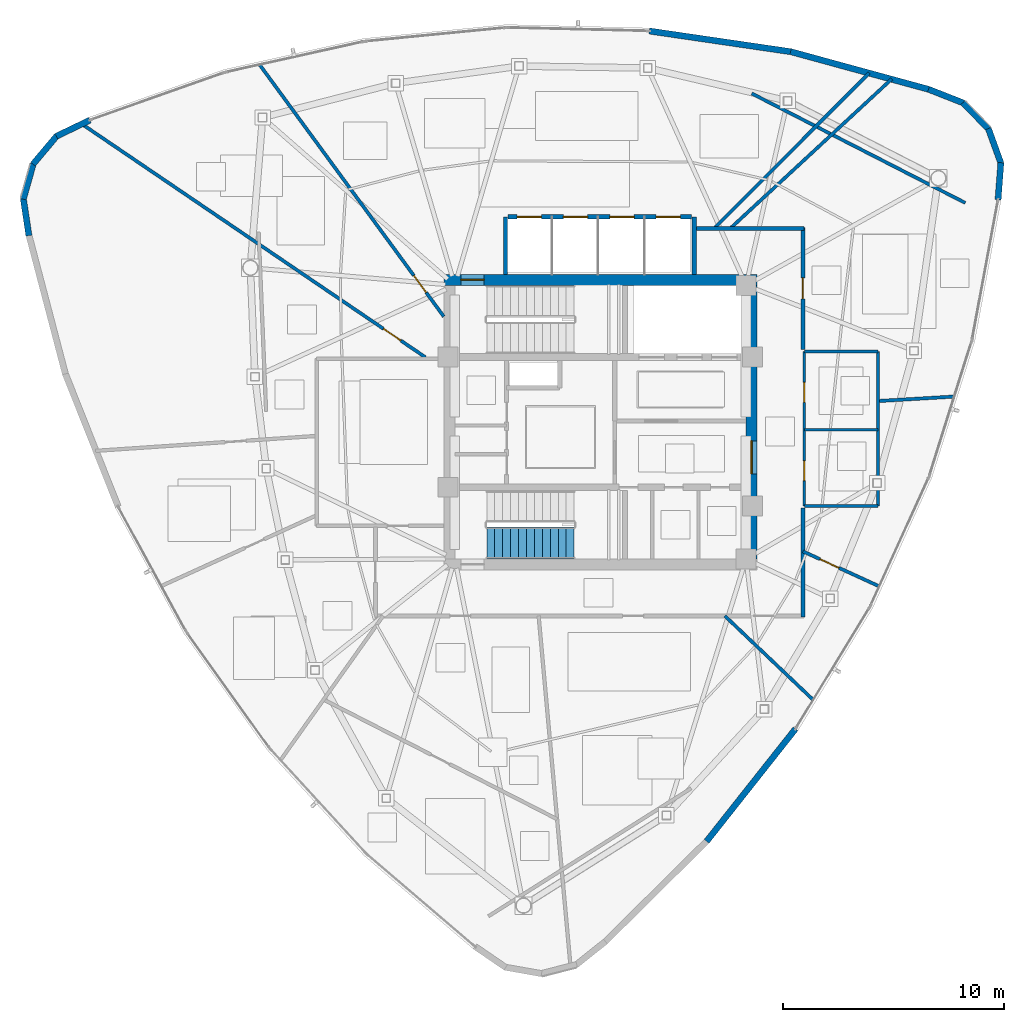
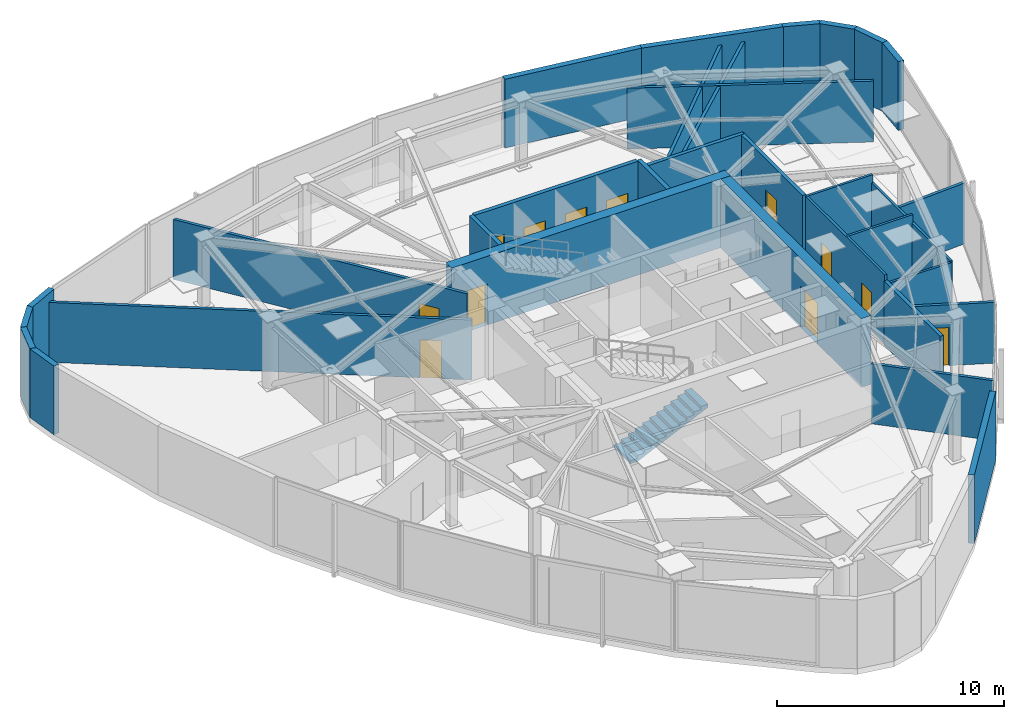
# One storey, part 9 of 13: 32 walls, 12 doors, 1 stair flight, 12 openings, 1 element without a shape of its own.
"""IFC4 building model written with IfcOpenShell, lengths in metres."""

from ifc_helpers import new_model, si_unit, direction, frame, frame_2d, origin, place, context, subcontext, project, spatial, polyline, rectangle, outline, extrude, material, layer, layer_set, type_object, element, fill, aggregate, save


model = new_model("IFC4")

# Units and contexts
model_context = context("Model", 3, precision=1e-05, world=origin(), true_north=direction((0.0, 1.0)))
body_context = subcontext(model_context, "Body", "Model", "MODEL_VIEW")
ifc_project = project(units=[si_unit("LENGTHUNIT", "METRE"), si_unit("AREAUNIT", "SQUARE_METRE"), si_unit("VOLUMEUNIT", "CUBIC_METRE"), si_unit("PLANEANGLEUNIT", "RADIAN"), si_unit("MASSUNIT", "GRAM", prefix="KILO")], contexts=[model_context])

# Site, building, storey
site_placement = place(None, origin())
site = spatial("IfcSite", under=ifc_project, at=site_placement, CompositionType="ELEMENT")
building_placement = place(site_placement, origin())
building = spatial("IfcBuilding", under=site, at=building_placement, Name="Tavelor Broadcast Tower", CompositionType="ELEMENT")
storey_placement = place(building_placement, frame((0.0, 0.0, 305.5)))
storey = spatial("IfcBuildingStorey", under=building, at=storey_placement, Name="L73", CompositionType="ELEMENT", Elevation=305.5)

# Wall, opening, door
ifc_material_1 = material(Name="Concrete C50/60", Category="concrete")
ifc_layer_1 = layer(ifc_material_1, 0.5)
ifc_layer_set_1 = layer_set([ifc_layer_1], Name="Concrete C50/60")
wall_type_1 = type_object("IfcWallType", Name="Core Shear Wall 500 mm", PredefinedType="SHEAR", material=ifc_layer_set_1)
wall_1_placement = place(storey_placement, frame((42.89990234375, 51.449951171875, 0.0), z_axis=(0.0, 0.0, 1.0), x_axis=(1.0, 0.0, 0.0)))
wall_1 = element("IfcWall", 1, at=wall_1_placement, inside=storey, type_object=wall_type_1, Name="L73 Central Core Shear Wall N", PredefinedType="SHEAR", context=body_context, shape_type="SweptSolid", body=[
    extrude(rectangle(XDim=14.2001953125, YDim=0.5, at=frame_2d((7.10009765625, 0.0))), origin(), (0.0, 0.0, 1.0), 3.699951171875),
])
opening_1_placement = place(wall_1_placement, frame((0.780029296875, 0.0, 0.0)))
opening_1 = element("IfcOpeningElement", 2, at=opening_1_placement, cuts=wall_1, Name="Opening DR11", PredefinedType="OPENING", context=body_context, shape_type="SweptSolid", body=[
    extrude(rectangle(XDim=1.050048828125, YDim=2.199951171875, at=frame_2d((0.52490234375, 1.10009765625))), frame((0.0, 0.260009765625, 0.0), z_axis=(0.0, -1.0, 0.0), x_axis=(1.0, 0.0, 0.0)), (0.0, 0.0, 1.0), 0.52001953125),
])
ifc_material_2 = material(Name="Steel S355", Category="steel")
door_type_1 = type_object("IfcDoorType", Name="Stair Core Fire Escape Door 1050x2200", OperationType="NOTDEFINED", PredefinedType="DOOR", material=ifc_material_2)
door_1_placement = place(opening_1_placement, origin())
door_1 = element("IfcDoor", 3, at=door_1_placement, inside=storey, type_object=door_type_1, Name="L73 Stair ST1 Protected Exit Door", OperationType="SINGLE_SWING_LEFT", OverallHeight=2.199951171875, OverallWidth=1.050048828125, PredefinedType="DOOR", context=body_context, shape_type="SweptSolid", body=[
    extrude(rectangle(XDim=1.050048828125, YDim=2.199951171875, at=frame_2d((0.52490234375, 1.10009765625))), frame((0.0, 0.02490234375, 0.0), z_axis=(0.0, -1.0, 0.0), x_axis=(1.0, 0.0, 0.0)), (0.0, 0.0, 1.0), 0.050048828125),
])
fill(opening_1, door_1)

wall_2_placement = place(storey_placement, frame((56.85009765625, 38.800048828125, 0.0), z_axis=(0.0, 0.0, 1.0), x_axis=(0.0, 1.0, 0.0)))
wall_2 = element("IfcWall", 4, at=wall_2_placement, inside=storey, type_object=wall_type_1, Name="L73 Central Core Shear Wall E", PredefinedType="SHEAR", context=body_context, shape_type="SweptSolid", body=[
    extrude(rectangle(XDim=12.39990234375, YDim=0.5, at=frame_2d((6.199951171875, 0.0))), origin(), (0.0, 0.0, 1.0), 3.699951171875),
])
opening_2_placement = place(wall_2_placement, frame((3.85009765625, 0.0, 0.0)))
opening_2 = element("IfcOpeningElement", 5, at=opening_2_placement, cuts=wall_2, Name="Opening DR14", PredefinedType="OPENING", context=body_context, shape_type="SweptSolid", body=[
    extrude(rectangle(XDim=1.5, YDim=2.199951171875, at=frame_2d((0.75, 1.10009765625))), frame((0.0, 0.260009765625, 0.0), z_axis=(0.0, -1.0, 0.0), x_axis=(1.0, 0.0, 0.0)), (0.0, 0.0, 1.0), 0.52001953125),
])
door_type_2 = type_object("IfcDoorType", Name="Firefighting Lobby Double Fire Door 1500x2200", OperationType="NOTDEFINED", PredefinedType="DOOR", material=ifc_material_2)
door_2_placement = place(opening_2_placement, origin())
door_2 = element("IfcDoor", 6, at=door_2_placement, inside=storey, type_object=door_type_2, Name="L73 Central Core Lobby Fire Door", OperationType="SINGLE_SWING_LEFT", OverallHeight=2.199951171875, OverallWidth=1.5, PredefinedType="DOOR", context=body_context, shape_type="SweptSolid", body=[
    extrude(rectangle(XDim=1.5, YDim=2.199951171875, at=frame_2d((0.75, 1.10009765625))), frame((0.0, 0.02490234375, 0.0), z_axis=(0.0, -1.0, 0.0), x_axis=(1.0, 0.0, 0.0)), (0.0, 0.0, 1.0), 0.050048828125),
])
fill(opening_2, door_2)

# Wall
ifc_material_3 = material(Name="Calcium Silicate Fire Board 180 mm", Category="gypsum")
ifc_layer_2 = layer(ifc_material_3, 0.179931640625)
ifc_layer_set_2 = layer_set([ifc_layer_2], Name="Calcium Silicate Fire Board 180 mm")
wall_type_2 = type_object("IfcWallType", Name="Fire-Rated Corridor Partition Wall 180 mm", PredefinedType="PARTITIONING", material=ifc_layer_set_2)
wall_3_placement = place(storey_placement, frame((54.300048828125, 53.780029296875, 0.0), z_axis=(0.0, 0.0, 1.0), x_axis=(1.0, 0.0, 0.0)))
element("IfcWall", 7, at=wall_3_placement, inside=storey, type_object=wall_type_2, Name="L73 Corridor Compartment Wall 01", PredefinedType="PARTITIONING", context=body_context, shape_type="SweptSolid", body=[
    extrude(rectangle(XDim=4.929931640625, YDim=0.179931640625, at=frame_2d((2.46484375, 0.0))), origin(), (0.0, 0.0, 1.0), 3.699951171875),
])

# Wall, opening, door
wall_4_placement = place(storey_placement, frame((59.179931640625, 53.830078125, 0.0), z_axis=(0.0, 0.0, 1.0), x_axis=(0.0, -1.0, 0.0)))
wall_4 = element("IfcWall", 8, at=wall_4_placement, inside=storey, type_object=wall_type_2, Name="L73 Corridor Compartment Wall 02", PredefinedType="PARTITIONING", context=body_context, shape_type="SweptSolid", body=[
    extrude(rectangle(XDim=5.530029296875, YDim=0.179931640625, at=frame_2d((2.76513671875, 0.0))), origin(), (0.0, 0.0, 1.0), 3.699951171875),
])
opening_3_placement = place(wall_4_placement, frame((2.2900390625, 0.0, 0.0)))
opening_3 = element("IfcOpeningElement", 9, at=opening_3_placement, cuts=wall_4, Name="Opening DR18", PredefinedType="OPENING", context=body_context, shape_type="SweptSolid", body=[
    extrude(rectangle(XDim=0.949951171875, YDim=2.050048828125, at=frame_2d((0.47509765625, 1.02490234375))), frame((0.0, 0.10009765625, 0.0), z_axis=(0.0, -1.0, 0.0), x_axis=(1.0, 0.0, 0.0)), (0.0, 0.0, 1.0), 0.199951171875),
])
ifc_material_4 = material(Name="Timber Solid Core Hardwood", Category="wood")
door_type_3 = type_object("IfcDoorType", Name="Corridor Rated Compartment Door 950x2050", OperationType="NOTDEFINED", PredefinedType="DOOR", material=ifc_material_4)
door_3_placement = place(opening_3_placement, origin())
door_3 = element("IfcDoor", 10, at=door_3_placement, inside=storey, type_object=door_type_3, Name="L73 Standards Huddle Room Door R9", OperationType="SINGLE_SWING_LEFT", OverallHeight=2.050048828125, OverallWidth=0.949951171875, PredefinedType="DOOR", context=body_context, shape_type="SweptSolid", body=[
    extrude(rectangle(XDim=0.949951171875, YDim=2.050048828125, at=frame_2d((0.47509765625, 1.02490234375))), frame((0.0, 0.02490234375, 0.0), z_axis=(0.0, -1.0, 0.0), x_axis=(1.0, 0.0, 0.0)), (0.0, 0.0, 1.0), 0.050048828125),
])
fill(opening_3, door_3)

# Walls
wall_5_placement = place(storey_placement, frame((59.179931640625, 41.10009765625, 0.0), z_axis=(0.0, 0.0, 1.0), x_axis=(0.0, -1.0, 0.0)))
element("IfcWall", 11, at=wall_5_placement, inside=storey, type_object=wall_type_2, Name="L73 Corridor Compartment Wall 03", PredefinedType="PARTITIONING", context=body_context, shape_type="SweptSolid", body=[
    extrude(rectangle(XDim=4.93017578125, YDim=0.179931640625, at=frame_2d((2.465087890625, 0.0))), origin(), (0.0, 0.0, 1.0), 3.47509765625),
])
ifc_material_5 = material(Name="Precast Concrete C40/50", Category="concrete")
ifc_layer_3 = layer(ifc_material_5, 0.280029296875)
ifc_layer_set_3 = layer_set([ifc_layer_3], Name="Precast Concrete C40/50")
wall_type_3 = type_object("IfcWallType", Name="Insulated Precast Terracotta Facade Wall 280 mm", PredefinedType="STANDARD", material=ifc_layer_set_3)
wall_6_placement = place(storey_placement, frame((26.86181640625, 58.689453125, 0.0), z_axis=(0.0, 0.0, 1.0), x_axis=(-0.901484692443, -0.43281098564, 0.0)))
element("IfcWall", 12, at=wall_6_placement, inside=storey, type_object=wall_type_3, Name="L73 Rounded Corner Structural Cladding Pier 01", PredefinedType="STANDARD", context=body_context, shape_type="SweptSolid", body=[
    extrude(rectangle(XDim=1.688232421875, YDim=0.280029296875, at=frame_2d((0.84423828125, 0.0))), origin(), (0.0, 0.0, 1.0), 3.699951171875),
])
for number, where, z_axis, x_axis, name in (
    (13, (25.363037109375, 57.9765625, 0.0), (0.0, 0.0, 1.0), (-0.6434584105, -0.765481073546, 0.0), "L73 Rounded Corner Structural Cladding Pier 02"),
    (14, (24.2978515625, 56.718994140625, 0.0), (0.0, 0.0, 1.0), (-0.271411747194, -0.962463330982, 0.0), "L73 Rounded Corner Structural Cladding Pier 03"),
):
    element("IfcWall", number, at=place(storey_placement, frame(where, z_axis=z_axis, x_axis=x_axis)), inside=storey, type_object=wall_type_3, Name=name, PredefinedType="STANDARD", context=body_context, shape_type="SweptSolid", body=[
        extrude(rectangle(XDim=1.6767578125, YDim=0.280029296875, at=frame_2d((0.83837890625, 0.0))), origin(), (0.0, 0.0, 1.0), 3.699951171875),
    ])
wall_7_placement = place(storey_placement, frame((23.844482421875, 55.134521484375, 0.0), z_axis=(0.0, 0.0, 1.0), x_axis=(0.148839229755, -0.988861407724, 0.0)))
element("IfcWall", 15, at=wall_7_placement, inside=storey, type_object=wall_type_3, Name="L73 Rounded Corner Structural Cladding Pier 04", PredefinedType="STANDARD", context=body_context, shape_type="SweptSolid", body=[
    extrude(rectangle(XDim=1.699462890625, YDim=0.280029296875, at=frame_2d((0.849609375, 0.0))), origin(), (0.0, 0.0, 1.0), 3.699951171875),
])
wall_8_placement = place(storey_placement, frame((54.813720703125, 25.997802734375, 0.0), z_axis=(0.0, 0.0, 1.0), x_axis=(0.620144738649, 0.784487414256, 0.0)))
element("IfcWall", 16, at=wall_8_placement, inside=storey, type_object=wall_type_3, Name="L73 Rounded Corner Structural Cladding Pier 16", PredefinedType="STANDARD", context=body_context, shape_type="SweptSolid", body=[
    extrude(rectangle(XDim=6.499267578125, YDim=0.280029296875, at=frame_2d((3.24951171875, 0.0))), origin(), (0.0, 0.0, 1.0), 3.699951171875),
])
wall_9_placement = place(storey_placement, frame((68.0244140625, 55.075927734375, 0.0), z_axis=(0.0, 0.0, 1.0), x_axis=(0.075922365377, 0.997113731946, 0.0)))
element("IfcWall", 17, at=wall_9_placement, inside=storey, type_object=wall_type_3, Name="L73 Rounded Corner Structural Cladding Pier 21", PredefinedType="STANDARD", context=body_context, shape_type="SweptSolid", body=[
    extrude(rectangle(XDim=1.688232421875, YDim=0.280029296875, at=frame_2d((0.84423828125, 0.0))), origin(), (0.0, 0.0, 1.0), 3.699951171875),
])
wall_10_placement = place(storey_placement, frame((68.156494140625, 56.730224609375, 0.0), z_axis=(0.0, 0.0, 1.0), x_axis=(-0.341146767824, 0.940010043991, 0.0)))
element("IfcWall", 18, at=wall_10_placement, inside=storey, type_object=wall_type_3, Name="L73 Rounded Corner Structural Cladding Pier 22", PredefinedType="STANDARD", context=body_context, shape_type="SweptSolid", body=[
    extrude(rectangle(XDim=1.6767578125, YDim=0.280029296875, at=frame_2d((0.83837890625, 0.0))), origin(), (0.0, 0.0, 1.0), 3.699951171875),
])
wall_11_placement = place(storey_placement, frame((67.60009765625, 58.281494140625, 0.0), z_axis=(0.0, 0.0, 1.0), x_axis=(-0.697799601275, 0.716293038121, 0.0)))
element("IfcWall", 19, at=wall_11_placement, inside=storey, type_object=wall_type_3, Name="L73 Rounded Corner Structural Cladding Pier 23", PredefinedType="STANDARD", context=body_context, shape_type="SweptSolid", body=[
    extrude(rectangle(XDim=1.676513671875, YDim=0.280029296875, at=frame_2d((0.83837890625, 0.0))), origin(), (0.0, 0.0, 1.0), 3.699951171875),
])
wall_12_placement = place(storey_placement, frame((66.45458984375, 59.46630859375, 0.0), z_axis=(0.0, 0.0, 1.0), x_axis=(-0.930767207773, 0.365612369777, 0.0)))
element("IfcWall", 20, at=wall_12_placement, inside=storey, type_object=wall_type_3, Name="L73 Rounded Corner Structural Cladding Pier 24", PredefinedType="STANDARD", context=body_context, shape_type="SweptSolid", body=[
    extrude(rectangle(XDim=1.699462890625, YDim=0.280029296875, at=frame_2d((0.849609375, 0.0))), origin(), (0.0, 0.0, 1.0), 3.699951171875),
])
wall_13_placement = place(storey_placement, frame((64.9013671875, 60.078125, 0.0), z_axis=(0.0, 0.0, 1.0), x_axis=(-0.964665979749, 0.263475895511, 0.0)))
element("IfcWall", 21, at=wall_13_placement, inside=storey, type_object=wall_type_3, Name="L73 Rounded Corner Structural Cladding Pier 25", PredefinedType="STANDARD", context=body_context, shape_type="SweptSolid", body=[
    extrude(rectangle(XDim=6.51123046875, YDim=0.280029296875, at=frame_2d((3.255615234375, 0.0))), origin(), (0.0, 0.0, 1.0), 3.699951171875),
])
wall_14_placement = place(storey_placement, frame((58.6494140625, 61.78759765625, 0.0), z_axis=(0.0, 0.0, 1.0), x_axis=(-0.989459095004, 0.144812635203, 0.0)))
element("IfcWall", 22, at=wall_14_placement, inside=storey, type_object=wall_type_3, Name="L73 Rounded Corner Structural Cladding Pier 26", PredefinedType="STANDARD", context=body_context, shape_type="SweptSolid", body=[
    extrude(rectangle(XDim=6.499267578125, YDim=0.280029296875, at=frame_2d((3.24951171875, 0.0))), origin(), (0.0, 0.0, 1.0), 3.699951171875),
])
ifc_material_6 = material(Name="Gypsum Acoustic Plasterboard 150 mm", Category="gypsum")
ifc_layer_4 = layer(ifc_material_6, 0.14990234375)
ifc_layer_set_4 = layer_set([ifc_layer_4], Name="Gypsum Acoustic Plasterboard 150 mm")
wall_type_4 = type_object("IfcWallType", Name="Interior Acoustic Partition Wall 150 mm", PredefinedType="PARTITIONING", material=ifc_layer_set_4)
wall_15_placement = place(storey_placement, frame((66.542724609375, 54.934326171875, 0.0), z_axis=(0.0, 0.0, 1.0), x_axis=(-0.889966951661, 0.456025026673, 0.0)))
element("IfcWall", 23, at=wall_15_placement, inside=storey, type_object=wall_type_4, Name="L73 Corner Tube Brace Furring Wall 3", PredefinedType="PARTITIONING", context=body_context, shape_type="SweptSolid", body=[
    extrude(rectangle(XDim=10.878662109375, YDim=0.14990234375, at=frame_2d((5.439453125, 0.0))), origin(), (0.0, 0.0, 1.0), 3.27490234375),
])
wall_16_placement = place(storey_placement, frame((55.6376953125, 36.219970703125, 0.0), z_axis=(0.0, 0.0, 1.0), x_axis=(0.724817836817, -0.688940565965, 0.0)))
element("IfcWall", 24, at=wall_16_placement, inside=storey, type_object=wall_type_4, Name="L73 Radial Compartment Wall 04", PredefinedType="PARTITIONING", context=body_context, shape_type="SweptSolid", body=[
    extrude(rectangle(XDim=5.5390625, YDim=0.14990234375, at=frame_2d((2.76953125, 0.0))), origin(), (0.0, 0.0, 1.0), 3.22509765625),
])

# Wall, opening, door
wall_17_placement = place(storey_placement, frame((59.179931640625, 39.142822265625, 0.0), z_axis=(0.0, 0.0, 1.0), x_axis=(0.909068863081, -0.416645895428, 0.0)))
wall_17 = element("IfcWall", 25, at=wall_17_placement, inside=storey, type_object=wall_type_4, Name="L73 Radial Compartment Wall 05", PredefinedType="PARTITIONING", context=body_context, shape_type="SweptSolid", body=[
    extrude(rectangle(XDim=3.814697265625, YDim=0.14990234375, at=frame_2d((1.9072265625, 0.0))), origin(), (0.0, 0.0, 1.0), 3.27490234375),
])
opening_4_placement = place(wall_17_placement, frame((0.85009765625, 0.0, 0.0)))
opening_4 = element("IfcOpeningElement", 26, at=opening_4_placement, cuts=wall_17, Name="Opening DR18", PredefinedType="OPENING", context=body_context, shape_type="SweptSolid", body=[
    extrude(rectangle(XDim=0.949951171875, YDim=2.050048828125, at=frame_2d((0.47509765625, 1.02490234375))), frame((0.0, 0.0849609375, 0.0), z_axis=(0.0, -1.0, 0.0), x_axis=(1.0, 0.0, 0.0)), (0.0, 0.0, 1.0), 0.169921875),
])
door_4_placement = place(opening_4_placement, origin())
door_4 = element("IfcDoor", 27, at=door_4_placement, inside=storey, type_object=door_type_3, Name="L73 Suite Connecting Door 10", OperationType="SINGLE_SWING_RIGHT", OverallHeight=2.050048828125, OverallWidth=0.949951171875, PredefinedType="DOOR", context=body_context, shape_type="SweptSolid", body=[
    extrude(rectangle(XDim=0.949951171875, YDim=2.050048828125, at=frame_2d((0.47509765625, 1.02490234375))), frame((0.0, 0.02490234375, 0.0), z_axis=(0.0, -1.0, 0.0), x_axis=(1.0, 0.0, 0.0)), (0.0, 0.0, 1.0), 0.050048828125),
])
fill(opening_4, door_4)

# Walls
wall_18_placement = place(storey_placement, frame((62.64990234375, 45.959228515625, 0.0), z_axis=(0.0, 0.0, 1.0), x_axis=(0.998262239054, 0.058927939713, 0.0)))
element("IfcWall", 28, at=wall_18_placement, inside=storey, type_object=wall_type_4, Name="L73 Radial Compartment Wall 06", PredefinedType="PARTITIONING", context=body_context, shape_type="SweptSolid", body=[
    extrude(rectangle(XDim=3.405517578125, YDim=0.14990234375, at=frame_2d((1.70263671875, 0.0))), origin(), (0.0, 0.0, 1.0), 3.27490234375),
])
wall_19_placement = place(storey_placement, frame((55.88671875, 53.780029296875, 0.0), z_axis=(0.0, 0.0, 1.0), x_axis=(0.73390624215, 0.679250784124, 0.0)))
element("IfcWall", 29, at=wall_19_placement, inside=storey, type_object=wall_type_4, Name="L73 Radial Compartment Wall 07", PredefinedType="PARTITIONING", context=body_context, shape_type="SweptSolid", body=[
    extrude(rectangle(XDim=9.97021484375, YDim=0.14990234375, at=frame_2d((4.985107421875, 0.0))), origin(), (0.0, 0.0, 1.0), 3.22509765625),
])
wall_20_placement = place(storey_placement, frame((55.156005859375, 53.780029296875, 0.0), z_axis=(0.0, 0.0, 1.0), x_axis=(0.706137563307, 0.708074672395, 0.0)))
element("IfcWall", 30, at=wall_20_placement, inside=storey, type_object=wall_type_4, Name="L73 Radial Compartment Wall 08", PredefinedType="PARTITIONING", context=body_context, shape_type="SweptSolid", body=[
    extrude(rectangle(XDim=9.95654296875, YDim=0.14990234375, at=frame_2d((4.978271484375, 0.0))), origin(), (0.0, 0.0, 1.0), 3.22509765625),
])

# Wall, opening, door
wall_21_placement = place(storey_placement, frame((42.89990234375, 49.787109375, 0.0), z_axis=(0.0, 0.0, 1.0), x_axis=(-0.590193936137, 0.807261492793, 0.0)))
wall_21 = element("IfcWall", 31, at=wall_21_placement, inside=storey, type_object=wall_type_4, Name="L73 Radial Compartment Wall 09", PredefinedType="PARTITIONING", context=body_context, shape_type="SweptSolid", body=[
    extrude(rectangle(XDim=14.150146484375, YDim=0.14990234375, at=frame_2d((7.0751953125, 0.0))), origin(), (0.0, 0.0, 1.0), 3.22509765625),
])
opening_5_placement = place(wall_21_placement, frame((1.35009765625, 0.0, 0.0)))
opening_5 = element("IfcOpeningElement", 32, at=opening_5_placement, cuts=wall_21, Name="Opening DR18", PredefinedType="OPENING", context=body_context, shape_type="SweptSolid", body=[
    extrude(rectangle(XDim=0.949951171875, YDim=2.050048828125, at=frame_2d((0.47509765625, 1.02490234375))), frame((0.0, 0.0849609375, 0.0), z_axis=(0.0, -1.0, 0.0), x_axis=(1.0, 0.0, 0.0)), (0.0, 0.0, 1.0), 0.169921875),
])
door_5_placement = place(opening_5_placement, origin())
door_5 = element("IfcDoor", 33, at=door_5_placement, inside=storey, type_object=door_type_3, Name="L73 Suite Connecting Door 8", OperationType="SINGLE_SWING_LEFT", OverallHeight=2.050048828125, OverallWidth=0.949951171875, PredefinedType="DOOR", context=body_context, shape_type="SweptSolid", body=[
    extrude(rectangle(XDim=0.949951171875, YDim=2.050048828125, at=frame_2d((0.47509765625, 1.02490234375))), frame((0.0, 0.02490234375, 0.0), z_axis=(0.0, -1.0, 0.0), x_axis=(1.0, 0.0, 0.0)), (0.0, 0.0, 1.0), 0.050048828125),
])
fill(opening_5, door_5)

wall_22_placement = place(storey_placement, frame((42.069580078125, 47.93994140625, 0.0), z_axis=(0.0, 0.0, 1.0), x_axis=(-0.82734261605, 0.561697601622, 0.0)))
wall_22 = element("IfcWall", 34, at=wall_22_placement, inside=storey, type_object=wall_type_4, Name="L73 Radial Compartment Wall 10", PredefinedType="PARTITIONING", context=body_context, shape_type="SweptSolid", body=[
    extrude(rectangle(XDim=18.8359375, YDim=0.14990234375, at=frame_2d((9.41796875, 0.0))), origin(), (0.0, 0.0, 1.0), 3.22509765625),
])
opening_6_placement = place(wall_22_placement, frame((1.35009765625, 0.0, 0.0)))
opening_6 = element("IfcOpeningElement", 35, at=opening_6_placement, cuts=wall_22, Name="Opening DR18", PredefinedType="OPENING", context=body_context, shape_type="SweptSolid", body=[
    extrude(rectangle(XDim=0.949951171875, YDim=2.050048828125, at=frame_2d((0.47509765625, 1.02490234375))), frame((0.0, 0.0849609375, 0.0), z_axis=(0.0, -1.0, 0.0), x_axis=(1.0, 0.0, 0.0)), (0.0, 0.0, 1.0), 0.169921875),
])
door_6_placement = place(opening_6_placement, origin())
door_6 = element("IfcDoor", 36, at=door_6_placement, inside=storey, type_object=door_type_3, Name="L73 Suite Connecting Door 6", OperationType="SINGLE_SWING_RIGHT", OverallHeight=2.050048828125, OverallWidth=0.949951171875, PredefinedType="DOOR", context=body_context, shape_type="SweptSolid", body=[
    extrude(rectangle(XDim=0.949951171875, YDim=2.050048828125, at=frame_2d((0.47509765625, 1.02490234375))), frame((0.0, 0.02490234375, 0.0), z_axis=(0.0, -1.0, 0.0), x_axis=(1.0, 0.0, 0.0)), (0.0, 0.0, 1.0), 0.050048828125),
])
fill(opening_6, door_6)

# Wall, openings, doors
ifc_material_7 = material(Name="Concrete Blockwork 200 mm", Category="masonry")
ifc_layer_5 = layer(ifc_material_7, 0.199951171875)
ifc_layer_set_5 = layer_set([ifc_layer_5], Name="Concrete Blockwork 200 mm")
wall_type_5 = type_object("IfcWallType", Name="Lift Hoistway Rated Front Wall 200 mm", PredefinedType="PARTITIONING", material=ifc_layer_set_5)
wall_23_placement = place(storey_placement, frame((45.820068359375, 54.300048828125, 0.0), z_axis=(0.0, 0.0, 1.0), x_axis=(1.0, 0.0, 0.0)))
wall_23 = element("IfcWall", 37, at=wall_23_placement, inside=storey, type_object=wall_type_5, Name="L73 High-Rise Lift Hoistway Front Wall", PredefinedType="PARTITIONING", context=body_context, shape_type="SweptSolid", body=[
    extrude(rectangle(XDim=8.309814453125, YDim=0.199951171875, at=frame_2d((4.15478515625, 0.0))), origin(), (0.0, 0.0, 1.0), 3.699951171875),
])
opening_7_placement = place(wall_23_placement, frame((0.405029296875, 0.0, 0.0)))
opening_7 = element("IfcOpeningElement", 38, at=opening_7_placement, cuts=wall_23, Name="Opening LD01", PredefinedType="OPENING", context=body_context, shape_type="SweptSolid", body=[
    extrude(rectangle(XDim=1.10009765625, YDim=2.14990234375, at=frame_2d((0.550048828125, 1.074951171875))), frame((0.0, 0.10986328125, 0.0), z_axis=(0.0, -1.0, 0.0), x_axis=(1.0, 0.0, 0.0)), (0.0, 0.0, 1.0), 0.219970703125),
])
opening_8_placement = place(wall_23_placement, frame((2.5048828125, 0.0, 0.0)))
opening_8 = element("IfcOpeningElement", 39, at=opening_8_placement, cuts=wall_23, Name="Opening LD01", PredefinedType="OPENING", context=body_context, shape_type="SweptSolid", body=[
    extrude(rectangle(XDim=1.10009765625, YDim=2.14990234375, at=frame_2d((0.550048828125, 1.074951171875))), frame((0.0, 0.10986328125, 0.0), z_axis=(0.0, -1.0, 0.0), x_axis=(1.0, 0.0, 0.0)), (0.0, 0.0, 1.0), 0.219970703125),
])
opening_9_placement = place(wall_23_placement, frame((4.60498046875, 0.0, 0.0)))
opening_9 = element("IfcOpeningElement", 40, at=opening_9_placement, cuts=wall_23, Name="Opening LD01", PredefinedType="OPENING", context=body_context, shape_type="SweptSolid", body=[
    extrude(rectangle(XDim=1.10009765625, YDim=2.14990234375, at=frame_2d((0.550048828125, 1.074951171875))), frame((0.0, 0.10986328125, 0.0), z_axis=(0.0, -1.0, 0.0), x_axis=(1.0, 0.0, 0.0)), (0.0, 0.0, 1.0), 0.219970703125),
])
opening_10_placement = place(wall_23_placement, frame((6.705078125, 0.0, 0.0)))
opening_10 = element("IfcOpeningElement", 41, at=opening_10_placement, cuts=wall_23, Name="Opening LD01", PredefinedType="OPENING", context=body_context, shape_type="SweptSolid", body=[
    extrude(rectangle(XDim=1.10009765625, YDim=2.14990234375, at=frame_2d((0.550048828125, 1.074951171875))), frame((0.0, 0.10986328125, 0.0), z_axis=(0.0, -1.0, 0.0), x_axis=(1.0, 0.0, 0.0)), (0.0, 0.0, 1.0), 0.219970703125),
])
ifc_material_8 = material(Name="Brushed Stainless Steel", Category="steel")
door_type_4 = type_object("IfcDoorType", Name="Passenger Lift Sliding Landing Door 1100x2150", OperationType="NOTDEFINED", PredefinedType="DOOR", material=ifc_material_8)
door_7_placement = place(opening_7_placement, origin())
door_7 = element("IfcDoor", 42, at=door_7_placement, inside=storey, type_object=door_type_4, Name="L73 Lift PLH1 Sliding Landing Door", OperationType="SLIDING_TO_LEFT", OverallHeight=2.14990234375, OverallWidth=1.10009765625, PredefinedType="DOOR", context=body_context, shape_type="SweptSolid", body=[
    extrude(rectangle(XDim=1.10009765625, YDim=2.14990234375, at=frame_2d((0.550048828125, 1.074951171875))), frame((0.0, 0.02490234375, 0.0), z_axis=(0.0, -1.0, 0.0), x_axis=(1.0, 0.0, 0.0)), (0.0, 0.0, 1.0), 0.050048828125),
])
fill(opening_7, door_7)
door_8_placement = place(opening_8_placement, origin())
door_8 = element("IfcDoor", 43, at=door_8_placement, inside=storey, type_object=door_type_4, Name="L73 Lift PLH2 Sliding Landing Door", OperationType="SLIDING_TO_RIGHT", OverallHeight=2.14990234375, OverallWidth=1.10009765625, PredefinedType="DOOR", context=body_context, shape_type="SweptSolid", body=[
    extrude(rectangle(XDim=1.10009765625, YDim=2.14990234375, at=frame_2d((0.550048828125, 1.074951171875))), frame((0.0, 0.02490234375, 0.0), z_axis=(0.0, -1.0, 0.0), x_axis=(1.0, 0.0, 0.0)), (0.0, 0.0, 1.0), 0.050048828125),
])
fill(opening_8, door_8)
door_9_placement = place(opening_9_placement, origin())
door_9 = element("IfcDoor", 44, at=door_9_placement, inside=storey, type_object=door_type_4, Name="L73 Lift PLH3 Sliding Landing Door", OperationType="SLIDING_TO_LEFT", OverallHeight=2.14990234375, OverallWidth=1.10009765625, PredefinedType="DOOR", context=body_context, shape_type="SweptSolid", body=[
    extrude(rectangle(XDim=1.10009765625, YDim=2.14990234375, at=frame_2d((0.550048828125, 1.074951171875))), frame((0.0, 0.02490234375, 0.0), z_axis=(0.0, -1.0, 0.0), x_axis=(1.0, 0.0, 0.0)), (0.0, 0.0, 1.0), 0.050048828125),
])
fill(opening_9, door_9)
door_10_placement = place(opening_10_placement, origin())
door_10 = element("IfcDoor", 45, at=door_10_placement, inside=storey, type_object=door_type_4, Name="L73 Lift PLH4 Sliding Landing Door", OperationType="SLIDING_TO_RIGHT", OverallHeight=2.14990234375, OverallWidth=1.10009765625, PredefinedType="DOOR", context=body_context, shape_type="SweptSolid", body=[
    extrude(rectangle(XDim=1.10009765625, YDim=2.14990234375, at=frame_2d((0.550048828125, 1.074951171875))), frame((0.0, 0.02490234375, 0.0), z_axis=(0.0, -1.0, 0.0), x_axis=(1.0, 0.0, 0.0)), (0.0, 0.0, 1.0), 0.050048828125),
])
fill(opening_10, door_10)

# Walls
ifc_layer_6 = layer(ifc_material_7, 0.199951171875)
ifc_layer_set_6 = layer_set([ifc_layer_6], Name="Concrete Blockwork 200 mm")
wall_type_6 = type_object("IfcWallType", Name="Lift and Riser Shaft Enclosure Wall 200 mm", PredefinedType="PARTITIONING", material=ifc_layer_set_6)
for number, where, z_axis, x_axis, name in (
    (46, (45.699951171875, 51.699951171875, 0.0), (0.0, 0.0, 1.0), (0.0, 1.0, 0.0), "L73 High-Rise Lift Shaft West Wall"),
    (47, (54.25, 51.699951171875, 0.0), (0.0, 0.0, 1.0), (0.0, 1.0, 0.0), "L73 High-Rise Lift Shaft East Wall"),
):
    element("IfcWall", number, at=place(storey_placement, frame(where, z_axis=z_axis, x_axis=x_axis)), inside=storey, type_object=wall_type_6, Name=name, PredefinedType="PARTITIONING", context=body_context, shape_type="SweptSolid", body=[
        extrude(rectangle(XDim=2.60009765625, YDim=0.199951171875, at=frame_2d((1.300048828125, 0.0))), origin(), (0.0, 0.0, 1.0), 3.699951171875),
    ])

# Wall, openings, doors
ifc_material_9 = material(Name="Moisture-Resistant Plasterboard 120 mm", Category="gypsum")
ifc_layer_7 = layer(ifc_material_9, 0.1201171875)
ifc_layer_set_7 = layer_set([ifc_layer_7], Name="Moisture-Resistant Plasterboard 120 mm")
wall_type_7 = type_object("IfcWallType", Name="Moisture-Resistant Wet-Room Partition 120 mm", PredefinedType="PARTITIONING", material=ifc_layer_set_7)
wall_24_placement = place(storey_placement, frame((59.239990234375, 41.199951171875, 0.0), z_axis=(0.0, 0.0, 1.0), x_axis=(0.0, 1.0, 0.0)))
wall_24 = element("IfcWall", 48, at=wall_24_placement, inside=storey, type_object=wall_type_7, Name="L73 Floor Washrooms West Wall", PredefinedType="PARTITIONING", context=body_context, shape_type="SweptSolid", body=[
    extrude(rectangle(XDim=7.0, YDim=0.1201171875, at=frame_2d((3.5, 0.0))), origin(), (0.0, 0.0, 1.0), 3.699951171875),
])
opening_11_placement = place(wall_24_placement, frame((1.14990234375, 0.0, 0.0)))
opening_11 = element("IfcOpeningElement", 49, at=opening_11_placement, cuts=wall_24, Name="Opening DR32", PredefinedType="OPENING", context=body_context, shape_type="SweptSolid", body=[
    extrude(rectangle(XDim=0.89990234375, YDim=2.050048828125, at=frame_2d((0.449951171875, 1.02490234375))), frame((0.0, 0.070068359375, 0.0), z_axis=(0.0, -1.0, 0.0), x_axis=(1.0, 0.0, 0.0)), (0.0, 0.0, 1.0), 0.14013671875),
])
opening_12_placement = place(wall_24_placement, frame((4.699951171875, 0.0, 0.0)))
opening_12 = element("IfcOpeningElement", 50, at=opening_12_placement, cuts=wall_24, Name="Opening DR32", PredefinedType="OPENING", context=body_context, shape_type="SweptSolid", body=[
    extrude(rectangle(XDim=0.89990234375, YDim=2.050048828125, at=frame_2d((0.449951171875, 1.02490234375))), frame((0.0, 0.070068359375, 0.0), z_axis=(0.0, -1.0, 0.0), x_axis=(1.0, 0.0, 0.0)), (0.0, 0.0, 1.0), 0.14013671875),
])
door_type_5 = type_object("IfcDoorType", Name="Accessible Washroom Door 900x2050", OperationType="NOTDEFINED", PredefinedType="DOOR", material=ifc_material_4)
door_11_placement = place(opening_11_placement, origin())
door_11 = element("IfcDoor", 51, at=door_11_placement, inside=storey, type_object=door_type_5, Name="L73 Accessible WC Door", OperationType="SINGLE_SWING_LEFT", OverallHeight=2.050048828125, OverallWidth=0.89990234375, PredefinedType="DOOR", context=body_context, shape_type="SweptSolid", body=[
    extrude(rectangle(XDim=0.89990234375, YDim=2.050048828125, at=frame_2d((0.449951171875, 1.02490234375))), frame((0.0, 0.02490234375, 0.0), z_axis=(0.0, -1.0, 0.0), x_axis=(1.0, 0.0, 0.0)), (0.0, 0.0, 1.0), 0.050048828125),
])
fill(opening_11, door_11)
door_12_placement = place(opening_12_placement, origin())
door_12 = element("IfcDoor", 52, at=door_12_placement, inside=storey, type_object=door_type_5, Name="L73 Staff Washroom WC Door", OperationType="SINGLE_SWING_RIGHT", OverallHeight=2.050048828125, OverallWidth=0.89990234375, PredefinedType="DOOR", context=body_context, shape_type="SweptSolid", body=[
    extrude(rectangle(XDim=0.89990234375, YDim=2.050048828125, at=frame_2d((0.449951171875, 1.02490234375))), frame((0.0, 0.02490234375, 0.0), z_axis=(0.0, -1.0, 0.0), x_axis=(1.0, 0.0, 0.0)), (0.0, 0.0, 1.0), 0.050048828125),
])
fill(opening_12, door_12)

# Walls
wall_25_placement = place(storey_placement, frame((59.239990234375, 41.199951171875, 0.0), z_axis=(0.0, 0.0, 1.0), x_axis=(1.0, 0.0, 0.0)))
element("IfcWall", 53, at=wall_25_placement, inside=storey, type_object=wall_type_7, Name="L73 Floor Washrooms South Wall", PredefinedType="PARTITIONING", context=body_context, shape_type="SweptSolid", body=[
    extrude(rectangle(XDim=3.340087890625, YDim=0.1201171875, at=frame_2d((1.669921875, 0.0))), origin(), (0.0, 0.0, 1.0), 3.22509765625),
])
for number, where, z_axis, x_axis, name in (
    (54, (59.239990234375, 44.64990234375, 0.0), (0.0, 0.0, 1.0), (1.0, 0.0, 0.0), "L73 Floor Washrooms Divider Wall"),
    (55, (59.239990234375, 48.199951171875, 0.0), (0.0, 0.0, 1.0), (1.0, 0.0, 0.0), "L73 Floor Washrooms North Wall"),
):
    element("IfcWall", number, at=place(storey_placement, frame(where, z_axis=z_axis, x_axis=x_axis)), inside=storey, type_object=wall_type_7, Name=name, PredefinedType="PARTITIONING", context=body_context, shape_type="SweptSolid", body=[
        extrude(rectangle(XDim=3.340087890625, YDim=0.1201171875, at=frame_2d((1.669921875, 0.0))), origin(), (0.0, 0.0, 1.0), 3.699951171875),
    ])
wall_26_placement = place(storey_placement, frame((62.580078125, 41.199951171875, 0.0), z_axis=(0.0, 0.0, 1.0), x_axis=(0.0, 1.0, 0.0)))
element("IfcWall", 56, at=wall_26_placement, inside=storey, type_object=wall_type_7, Name="L73 Floor Washrooms East Wall", PredefinedType="PARTITIONING", context=body_context, shape_type="SweptSolid", body=[
    extrude(rectangle(XDim=7.0, YDim=0.1201171875, at=frame_2d((3.5, 0.0))), origin(), (0.0, 0.0, 1.0), 3.27490234375),
])

# Stair, stair flight
ifc_material_10 = material(Name="Concrete C40/50", Category="concrete")
stair_type = type_object("IfcStairType", Name="Reinforced Concrete Protected Dogleg Stair 1450 mm", PredefinedType="HALF_TURN_STAIR", material=ifc_material_10)
stair_placement = place(storey_placement, origin())
stair = element("IfcStair", 57, at=stair_placement, inside=storey, type_object=stair_type, Name="L73 Protected Core Exit Stair ST2", PredefinedType="HALF_TURN_STAIR")
stair_flight_type = type_object("IfcStairFlightType", Name="Reinforced Concrete Stair Flight 1450 mm", PredefinedType="STRAIGHT", material=ifc_material_10)
stair_flight_placement = place(storey_placement, frame((44.85009765625, 39.52490234375, 0.0), z_axis=(0.0, 0.0, 1.0), x_axis=(1.0, 0.0, 0.0)))
stair_flight = element("IfcStairFlight", 58, at=stair_flight_placement, type_object=stair_flight_type, Name="ST2 flight 1", NumberOfRisers=12, NumberOfTreads=11, PredefinedType="STRAIGHT", RiserHeight=0.166666667, TreadLength=0.36, context=body_context, shape_type="SweptSolid", body=[
    extrude(outline(polyline([(0.0, 0.0), (0.0, 0.166748046875), (0.360107421875, 0.166748046875), (0.360107421875, 0.333251953125), (0.719970703125, 0.333251953125), (0.719970703125, 0.5), (1.080078125, 0.5), (1.080078125, 0.666748046875), (1.43994140625, 0.666748046875), (1.43994140625, 0.833251953125), (1.800048828125, 0.833251953125), (1.800048828125, 1.0), (2.159912109375, 1.0), (2.159912109375, 1.166748046875), (2.52001953125, 1.166748046875), (2.52001953125, 1.333251953125), (2.8798828125, 1.333251953125), (2.8798828125, 1.5), (3.239990234375, 1.5), (3.239990234375, 1.666748046875), (3.60009765625, 1.666748046875), (3.60009765625, 1.833251953125), (3.9599609375, 1.833251953125), (3.9599609375, 2.0), (3.9599609375, 1.668212890625), (0.356689453125, 0.0), (0.0, 0.0)])), frame((0.0, 0.72509765625, 0.0), z_axis=(0.0, -1.0, 0.0), x_axis=(1.0, 0.0, 0.0)), (0.0, 0.0, 1.0), 1.449951171875),
])
aggregate(stair, [stair_flight])

save(model, "model.ifc")
